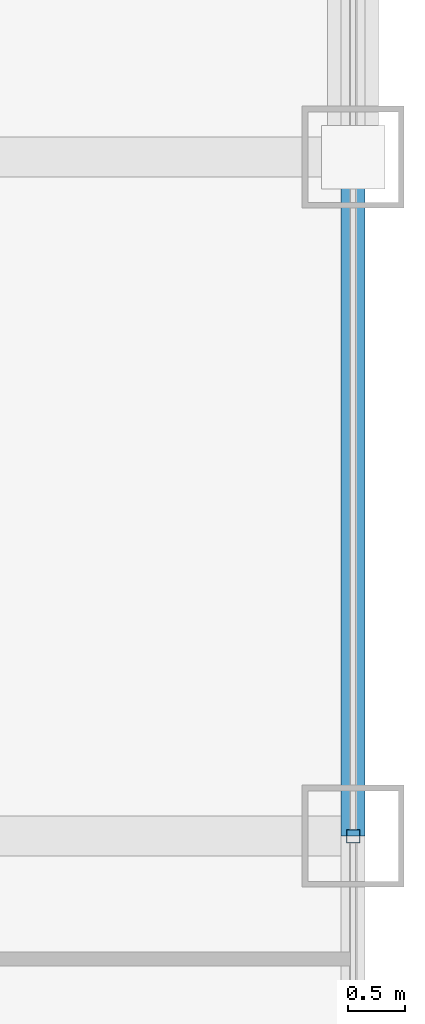
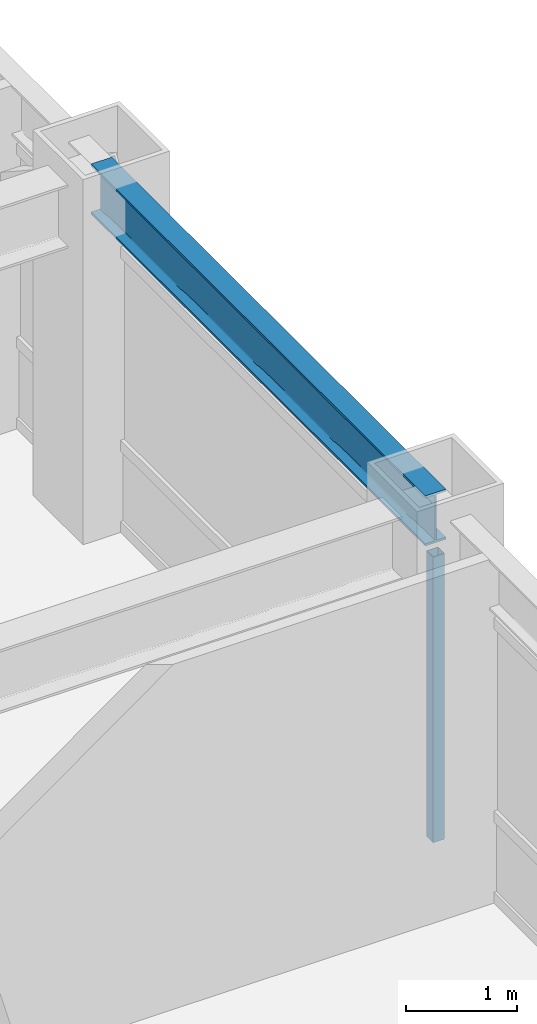
# One storey, part 10 of 27: 1 beam, 1 member, 1 element without a shape of its own.
"""IFC4 building model written with IfcOpenShell, lengths in metres."""

from ifc_helpers import new_model, si_unit, direction, frame, origin, origin_2d, place, context, subcontext, project, spatial, hollow_rectangle, i_section, extrude, source, transform, mapped, material, material_profile, profile_set, type_object, element, aggregate, save


model = new_model("IFC4")

# Units and contexts
model_context = context("Model", 3, precision=1e-05, world=origin(), true_north=direction((0.0, 1.0)))
body_context = subcontext(model_context, "Body", "Model", "MODEL_VIEW")
ifc_project = project(units=[si_unit("LENGTHUNIT", "METRE"), si_unit("AREAUNIT", "SQUARE_METRE"), si_unit("VOLUMEUNIT", "CUBIC_METRE"), si_unit("PLANEANGLEUNIT", "RADIAN"), si_unit("MASSUNIT", "GRAM", prefix="KILO")], contexts=[model_context])

# Site, building, storey
site_placement = place(None, origin())
site = spatial("IfcSite", under=ifc_project, at=site_placement, CompositionType="ELEMENT")
building_placement = place(site_placement, origin())
building = spatial("IfcBuilding", under=site, at=building_placement, Name="Khorayat Bourse Tower", CompositionType="ELEMENT")
storey_placement = place(building_placement, frame((0.0, 0.0, 285.5)))
storey = spatial("IfcBuildingStorey", under=building, at=storey_placement, Name="L67", CompositionType="ELEMENT", Elevation=285.5)

# Beam
ifc_material_1 = material(Name="Steel ASTM A992 Grade 50", Category="steel")
ifc_material_profile_1 = material_profile(ifc_material_1, i_section(OverallWidth=0.214111328125, OverallDepth=0.549072265625, WebThickness=0.0146484375, FlangeThickness=0.023681640625, FilletRadius=0.013916015625, at=origin_2d()), Name="W530X138")
ifc_profile_set_1 = profile_set([ifc_material_profile_1], Name="Steel ASTM A992 Grade 50")
beam_type = type_object("IfcBeamType", Name="BM-SPAN-530", PredefinedType="SPANDREL", material=ifc_profile_set_1)
shared_shape_1 = source(origin(), body_context, "Body", "SweptSolid", [
    extrude(i_section(OverallWidth=0.214111328125, OverallDepth=0.549072265625, WebThickness=0.0146484375, FlangeThickness=0.023681640625, FilletRadius=0.013916015625, at=origin_2d()), origin(), (0.0, 0.0, 1.0), 6.0),
])
beam_placement = place(storey_placement, frame((28.0, 0.0, 3.505615234375), z_axis=(0.0, 1.0, 0.0), x_axis=(-1.0, 0.0, 0.0)))
element("IfcBeam", 1, at=beam_placement, inside=storey, type_object=beam_type, Name="L67 BM-SPAN-530 BM-L67-SPN-038", PredefinedType="SPANDREL", context=body_context, shape_type="MappedRepresentation", body=[
    mapped(shared_shape_1, transform((0.0, 0.0, 0.0), scale=1.0)),
])

# Curtain wall, member
ifc_material_2 = material(Name="Aluminium EN AW-6063 T6", Category="aluminium")
curtain_wall_type = type_object("IfcCurtainWallType", Name="CW-SYS-04", PredefinedType="NOTDEFINED", material=ifc_material_2)
curtain_wall_placement = place(storey_placement, origin())
curtain_wall = element("IfcCurtainWall", 2, at=curtain_wall_placement, inside=storey, type_object=curtain_wall_type, Name="L67 Curtain Wall CW-L67-E1", PredefinedType="NOTDEFINED")
ifc_material_profile_2 = material_profile(ifc_material_2, hollow_rectangle(XDim=0.1201171875, YDim=0.1201171875, WallThickness=0.0048828125, at=origin_2d()), Name="ALU 120x120x5")
ifc_profile_set_2 = profile_set([ifc_material_profile_2], Name="Aluminium EN AW-6063 T6")
member_type = type_object("IfcMemberType", Name="CWM-VERT-120", PredefinedType="MULLION", material=ifc_profile_set_2)
shared_shape_2 = source(origin(), body_context, "Body", "SweptSolid", [
    extrude(hollow_rectangle(XDim=0.1201171875, YDim=0.1201171875, WallThickness=0.0048828125, at=origin_2d()), origin(), (0.0, 0.0, 1.0), 3.1298828125),
])
member_placement = place(storey_placement, frame((28.0, 0.0, 0.0), z_axis=(0.0, 0.0, 1.0), x_axis=(-1.0, 0.0, 0.0)))
member = element("IfcMember", 3, at=member_placement, type_object=member_type, Name="CW-L67-E1 Vertical Mullion 2", PredefinedType="MULLION", context=body_context, shape_type="MappedRepresentation", body=[
    mapped(shared_shape_2, transform((0.0, 0.0, 0.0), scale=1.0)),
])
aggregate(curtain_wall, [member])

save(model, "model.ifc")
